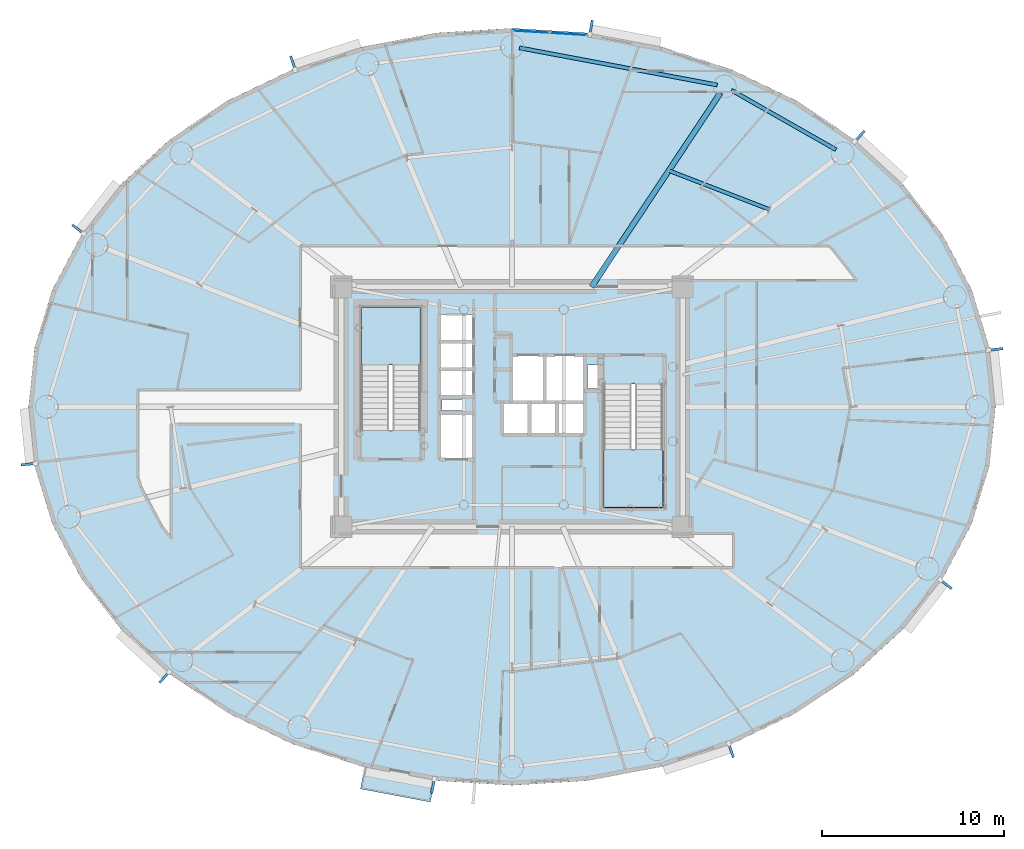
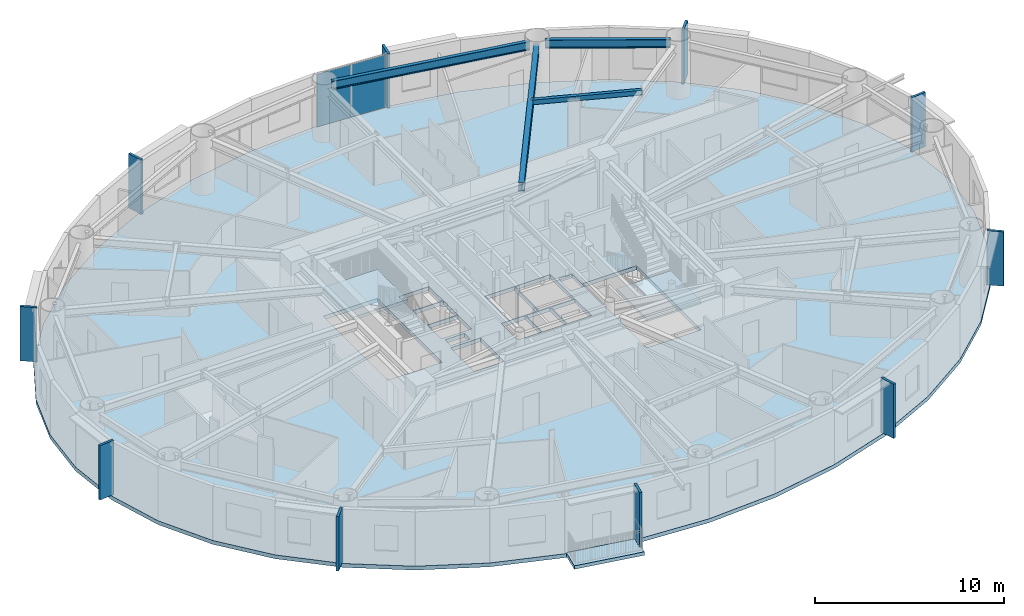
# One storey, part 5 of 19: 12 plates, 4 beams, 4 slabs, 3 elements without a shape of their own.
"""IFC4 building model written with IfcOpenShell, lengths in metres."""

from ifc_helpers import new_model, si_unit, direction, frame, origin, origin_2d, place, context, subcontext, project, spatial, polyline, rectangle, hollow_rectangle, i_section, outline, extrude, source, transform, mapped, material, layer, layer_set, material_profile, profile_set, type_object, element, aggregate, save


model = new_model("IFC4")

# Units and contexts
model_context = context("Model", 3, precision=1e-05, world=origin(), true_north=direction((0.0, 1.0)))
body_context = subcontext(model_context, "Body", "Model", "MODEL_VIEW")
ifc_project = project(units=[si_unit("LENGTHUNIT", "METRE"), si_unit("AREAUNIT", "SQUARE_METRE"), si_unit("VOLUMEUNIT", "CUBIC_METRE"), si_unit("PLANEANGLEUNIT", "RADIAN"), si_unit("MASSUNIT", "GRAM", prefix="KILO")], contexts=[model_context])

# Site, building, storey
site_placement = place(None, origin())
site = spatial("IfcSite", under=ifc_project, at=site_placement, CompositionType="ELEMENT")
building_placement = place(site_placement, origin())
building = spatial("IfcBuilding", under=site, at=building_placement, Name="Linh Dai School and Residence Tower", CompositionType="ELEMENT")
storey_placement = place(building_placement, frame((0.0, 0.0, 174.89990234375)))
storey = spatial("IfcBuildingStorey", under=building, at=storey_placement, Name="L42", CompositionType="ELEMENT", Elevation=174.89990234375)

# Beams
ifc_material_1 = material(Name="Structural Steel S355JR", Category="steel")
ifc_material_profile_1 = material_profile(ifc_material_1, hollow_rectangle(XDim=0.199951171875, YDim=0.300048828125, WallThickness=0.010009765625, at=origin_2d()), Name="RHS 300x200x10")
ifc_profile_set_1 = profile_set([ifc_material_profile_1], Name="Structural Steel S355JR")
beam_type_1 = type_object("IfcBeamType", Name="BM-BX3", PredefinedType="BEAM", material=ifc_profile_set_1)
beam_1_placement = place(storey_placement, frame((50.1640625, 37.860107421875, 3.35009765625), z_axis=(-0.932827710026, 0.360322721193, 0.0), x_axis=(-0.360322721193, -0.932827710026, 0.0)))
element("IfcBeam", 1, at=beam_1_placement, inside=storey, type_object=beam_type_1, Name="L42 Secondary Circumferential Floor Beam 02", PredefinedType="BEAM", context=body_context, shape_type="SweptSolid", body=[
    extrude(hollow_rectangle(XDim=0.199951171875, YDim=0.300048828125, WallThickness=0.010009765625, at=origin_2d()), origin(), (0.0, 0.0, 1.0), 5.927978515625),
])
ifc_material_profile_2 = material_profile(ifc_material_1, i_section(OverallWidth=0.2099609375, OverallDepth=0.550048828125, WebThickness=0.010986328125, FlangeThickness=0.01708984375, FilletRadius=0.02392578125, at=origin_2d()), Name="IPE 550")
ifc_profile_set_2 = profile_set([ifc_material_profile_2], Name="Structural Steel S355JR")
beam_type_2 = type_object("IfcBeamType", Name="BM-RB55", PredefinedType="BEAM", material=ifc_profile_set_2)
beam_2_placement = place(storey_placement, frame((53.827392578125, 41.1494140625, 3.22509765625), z_axis=(-0.869262164011, 0.49435138335, 0.0), x_axis=(-0.49435138335, -0.869262164011, 0.0)))
element("IfcBeam", 2, at=beam_2_placement, inside=storey, type_object=beam_type_2, Name="L42 Perimeter Elliptical Ring Beam 03", PredefinedType="BEAM", context=body_context, shape_type="SweptSolid", body=[
    extrude(i_section(OverallWidth=0.2099609375, OverallDepth=0.550048828125, WebThickness=0.010986328125, FlangeThickness=0.01708984375, FilletRadius=0.02392578125, at=origin_2d()), origin(), (0.0, 0.0, 1.0), 6.62255859375),
])
beam_3_placement = place(storey_placement, frame((47.292724609375, 44.70849609375, 3.22509765625), z_axis=(-0.98280721278, 0.184634727255, 0.0), x_axis=(-0.184634727255, -0.98280721278, 0.0)))
element("IfcBeam", 3, at=beam_3_placement, inside=storey, type_object=beam_type_2, Name="L42 Perimeter Elliptical Ring Beam 04", PredefinedType="BEAM", context=body_context, shape_type="SweptSolid", body=[
    extrude(i_section(OverallWidth=0.2099609375, OverallDepth=0.550048828125, WebThickness=0.010986328125, FlangeThickness=0.01708984375, FilletRadius=0.02392578125, at=origin_2d()), origin(), (0.0, 0.0, 1.0), 11.0703125),
])
ifc_material_profile_3 = material_profile(ifc_material_1, i_section(OverallWidth=0.300048828125, OverallDepth=0.550048828125, WebThickness=0.014892578125, FlangeThickness=0.029052734375, FilletRadius=0.027099609375, at=origin_2d()), Name="HEB 550")
ifc_profile_set_3 = profile_set([ifc_material_profile_3], Name="Structural Steel S355JR")
beam_type_3 = type_object("IfcBeamType", Name="BM-RG55", PredefinedType="BEAM", material=ifc_profile_set_3)
beam_4_placement = place(storey_placement, frame((40.3818359375, 33.60009765625, 3.22509765625), z_axis=(0.553117176317, 0.833103468522, 0.0), x_axis=(-0.833103468522, 0.553117176317, 0.0)))
element("IfcBeam", 4, at=beam_4_placement, inside=storey, type_object=beam_type_3, Name="L42 Primary Radial Floor Girder 04", PredefinedType="BEAM", context=body_context, shape_type="SweptSolid", body=[
    extrude(i_section(OverallWidth=0.300048828125, OverallDepth=0.550048828125, WebThickness=0.014892578125, FlangeThickness=0.029052734375, FilletRadius=0.027099609375, at=origin_2d()), origin(), (0.0, 0.0, 1.0), 12.820556640625),
])

# Slabs
ifc_material_2 = material(Name="Concrete B45 (C35/45)", Category="concrete")
ifc_layer_1 = layer(ifc_material_2, 0.219970703125)
ifc_layer_set_1 = layer_set([ifc_layer_1], Name="Concrete B45 (C35/45)")
slab_type_1 = type_object("IfcSlabType", Name="SLB-BALC-220", PredefinedType="FLOOR", material=ifc_layer_set_1)
slab_1_placement = place(storey_placement, frame((0.0, 0.0, -0.219970703125)))
element("IfcSlab", 5, at=slab_1_placement, inside=storey, type_object=slab_type_1, Name="L42 Sliding Balcony Slab 29", PredefinedType="FLOOR", context=body_context, shape_type="SweptSolid", body=[
    extrude(outline(polyline([(31.74755859375, 6.524658203125), (27.90087890625, 7.248046875), (27.66064453125, 5.97021484375), (31.507568359375, 5.2470703125), (31.74755859375, 6.524658203125)])), origin(), (0.0, 0.0, 1.0), 0.219970703125),
])
ifc_layer_2 = layer(ifc_material_2, 0.25)
ifc_layer_set_2 = layer_set([ifc_layer_2], Name="Concrete B45 (C35/45)")
slab_type_2 = type_object("IfcSlabType", Name="SLB-FLR250", PredefinedType="FLOOR", material=ifc_layer_set_2)
slab_2_placement = place(storey_placement, frame((0.0, 0.0, -0.25)))
element("IfcSlab", 6, at=slab_2_placement, inside=storey, type_object=slab_type_2, Name="L42 Composite Structural Floor Slab", PredefinedType="FLOOR", context=body_context, shape_type="SweptSolid", body=[
    extrude(outline(polyline([(62.60009765625, 27.0), (62.2724609375, 30.258544921875), (61.298095703125, 33.436767578125), (59.70068359375, 36.45654296875), (57.519775390625, 39.24365234375), (54.80908203125, 41.72900390625), (51.635009765625, 43.851806640625), (48.076171875, 45.5595703125), (44.219970703125, 46.810546875), (40.1611328125, 47.573486328125), (36.0, 47.830078125), (31.8388671875, 47.573486328125), (27.780029296875, 46.810546875), (23.923828125, 45.5595703125), (20.364990234375, 43.851806640625), (17.19091796875, 41.72900390625), (14.480224609375, 39.24365234375), (12.29931640625, 36.45654296875), (10.701904296875, 33.436767578125), (9.7275390625, 30.258544921875), (9.39990234375, 27.0), (9.7275390625, 23.741455078125), (10.701904296875, 20.563232421875), (12.29931640625, 17.54345703125), (14.480224609375, 14.75634765625), (17.19091796875, 12.27099609375), (20.364990234375, 10.148193359375), (23.923828125, 8.4404296875), (27.780029296875, 7.189453125), (31.8388671875, 6.426513671875), (36.0, 6.169921875), (40.1611328125, 6.426513671875), (44.219970703125, 7.189453125), (48.076171875, 8.4404296875), (51.635009765625, 10.148193359375), (54.80908203125, 12.27099609375), (57.519775390625, 14.75634765625), (59.70068359375, 17.54345703125), (61.298095703125, 20.563232421875), (62.2724609375, 23.741455078125), (62.60009765625, 27.0)]), holes=[polyline([(30.97998046875, 25.699951171875), (30.97998046875, 32.5), (27.679931640625, 32.5), (27.679931640625, 25.699951171875), (30.97998046875, 25.699951171875)]), polyline([(41.02001953125, 28.25), (41.02001953125, 21.449951171875), (44.320068359375, 21.449951171875), (44.320068359375, 28.25), (41.02001953125, 28.25)]), polyline([(35.97998046875, 27.280029296875), (37.77001953125, 27.280029296875), (37.77001953125, 29.820068359375), (35.97998046875, 29.820068359375), (35.97998046875, 27.280029296875)]), polyline([(32.030029296875, 24.1298828125), (33.8701171875, 24.1298828125), (33.8701171875, 26.6201171875), (32.030029296875, 26.6201171875), (32.030029296875, 24.1298828125)]), polyline([(37.830078125, 27.280029296875), (39.969970703125, 27.280029296875), (39.969970703125, 29.820068359375), (37.830078125, 29.820068359375), (37.830078125, 27.280029296875)]), polyline([(32.030029296875, 27.580078125), (33.8701171875, 27.580078125), (33.8701171875, 29.030029296875), (32.030029296875, 29.030029296875), (32.030029296875, 27.580078125)]), polyline([(32.030029296875, 29.090087890625), (33.8701171875, 29.090087890625), (33.8701171875, 30.550048828125), (32.030029296875, 30.550048828125), (32.030029296875, 29.090087890625)]), polyline([(32.030029296875, 30.610107421875), (33.8701171875, 30.610107421875), (33.8701171875, 32.070068359375), (32.030029296875, 32.070068359375), (32.030029296875, 30.610107421875)]), polyline([(35.47998046875, 25.47998046875), (36.929931640625, 25.47998046875), (36.929931640625, 27.219970703125), (35.47998046875, 27.219970703125), (35.47998046875, 25.47998046875)]), polyline([(36.989990234375, 25.47998046875), (38.449951171875, 25.47998046875), (38.449951171875, 27.219970703125), (36.989990234375, 27.219970703125), (36.989990234375, 25.47998046875)]), polyline([(38.510009765625, 25.47998046875), (39.969970703125, 25.47998046875), (39.969970703125, 27.219970703125), (38.510009765625, 27.219970703125), (38.510009765625, 25.47998046875)]), polyline([(40.14990234375, 28.0), (40.14990234375, 29.300048828125), (41.0, 29.300048828125), (41.0, 28.280029296875), (40.989990234375, 28.280029296875), (40.989990234375, 28.0), (40.14990234375, 28.0)]), polyline([(32.14990234375, 26.800048828125), (33.35009765625, 26.800048828125), (33.35009765625, 27.39990234375), (32.14990234375, 27.39990234375), (32.14990234375, 26.800048828125)])]), origin(), (0.0, 0.0, 1.0), 0.25),
])

# Stair, slab
stair_type = type_object("IfcStairType", Name="ST-DOG-1550-R1442", PredefinedType="HALF_TURN_STAIR", material=ifc_material_2)
stair_1_placement = place(storey_placement, origin())
stair_1 = element("IfcStair", 7, at=stair_1_placement, inside=storey, type_object=stair_type, Name="L42 Core Smokeproof Exit Stair ST1", PredefinedType="HALF_TURN_STAIR")
ifc_layer_3 = layer(ifc_material_2, 0.199951171875)
ifc_layer_set_3 = layer_set([ifc_layer_3], Name="Concrete B45 (C35/45)")
slab_type_3 = type_object("IfcSlabType", Name="SLB-ST-LANDING-200", PredefinedType="LANDING", material=ifc_layer_set_3)
slab_3_placement = place(storey_placement, frame((0.0, 0.0, 1.675048828125)))
slab_3 = element("IfcSlab", 8, at=slab_3_placement, type_object=slab_type_3, Name="ST1 landing 1", PredefinedType="LANDING", context=body_context, shape_type="SweptSolid", body=[
    extrude(outline(polyline([(30.97998046875, 29.300048828125), (30.97998046875, 32.5), (27.679931640625, 32.5), (27.679931640625, 29.300048828125), (30.97998046875, 29.300048828125)])), origin(), (0.0, 0.0, 1.0), 0.199951171875),
])
aggregate(stair_1, [slab_3])

stair_2_placement = place(storey_placement, origin())
stair_2 = element("IfcStair", 9, at=stair_2_placement, inside=storey, type_object=stair_type, Name="L42 Core Smokeproof Exit Stair ST2", PredefinedType="HALF_TURN_STAIR")
slab_4_placement = place(storey_placement, frame((0.0, 0.0, 1.675048828125)))
slab_4 = element("IfcSlab", 10, at=slab_4_placement, type_object=slab_type_3, Name="ST2 landing 1", PredefinedType="LANDING", context=body_context, shape_type="SweptSolid", body=[
    extrude(outline(polyline([(41.02001953125, 24.64990234375), (41.02001953125, 21.449951171875), (44.320068359375, 21.449951171875), (44.320068359375, 24.64990234375), (41.02001953125, 24.64990234375)])), origin(), (0.0, 0.0, 1.0), 0.199951171875),
])
aggregate(stair_2, [slab_4])

# Plates
ifc_material_3 = material(Name="Precast Concrete B45 (C35/45)", Category="concrete")
ifc_layer_4 = layer(ifc_material_3, 0.139892578125)
ifc_layer_set_4 = layer_set([ifc_layer_4], Name="Precast Concrete B45 (C35/45)")
plate_type_1 = type_object("IfcPlateType", Name="FIN-TC-900x140", PredefinedType="USERDEFINED", material=ifc_layer_set_4)
shared_shape_1 = source(origin(), body_context, "Body", "SweptSolid", [
    extrude(rectangle(XDim=0.89990234375, YDim=0.139892578125, at=origin_2d()), origin(), (0.0, 0.0, 1.0), 3.5),
])
for number, where, z_axis, x_axis, name in (
    (11, (62.56982421875, 30.1552734375, 0.0), (0.0, 0.0, 1.0), (0.994987256586, 0.100001796141, 0.0), "L42 Precast Terracotta Radial Fin 01"),
    (12, (55.097412109375, 41.851806640625, 0.0), (0.0, 0.0, 1.0), (0.67580001435, 0.737085029426, 0.0), "L42 Precast Terracotta Radial Fin 05"),
    (13, (40.33935546875, 47.830322265625, 0.0), (0.0, 0.0, 1.0), (0.184762540184, 0.982783192645, 0.0), "L42 Precast Terracotta Radial Fin 09"),
    (14, (23.957763671875, 45.87060546875, 0.0), (0.0, 0.0, 1.0), (-0.308535707031, 0.951212761419, 0.0), "L42 Precast Terracotta Radial Fin 13"),
    (15, (12.155029296875, 36.735595703125, 0.0), (0.0, 0.0, 1.0), (-0.787522158319, 0.616286337798, 0.0), "L42 Precast Terracotta Radial Fin 17"),
    (16, (9.43017578125, 23.8447265625, 0.0), (0.0, 0.0, 1.0), (-0.994987256586, -0.100001796141, 0.0), "L42 Precast Terracotta Radial Fin 21"),
    (17, (16.902587890625, 12.148193359375, 0.0), (0.0, 0.0, 1.0), (-0.67580001435, -0.737085029426, 0.0), "L42 Precast Terracotta Radial Fin 25"),
    (18, (31.66064453125, 6.169677734375, 0.0), (0.0, 0.0, 1.0), (-0.184762540184, -0.982783192645, 0.0), "L42 Precast Terracotta Radial Fin 29"),
    (19, (48.042236328125, 8.12939453125, 0.0), (0.0, 0.0, 1.0), (0.308535707031, -0.951212761419, 0.0), "L42 Precast Terracotta Radial Fin 33"),
    (20, (59.844970703125, 17.264404296875, 0.0), (0.0, 0.0, 1.0), (0.787522158319, -0.616286337798, 0.0), "L42 Precast Terracotta Radial Fin 37"),
):
    element("IfcPlate", number, at=place(storey_placement, frame(where, z_axis=z_axis, x_axis=x_axis)), inside=storey, type_object=plate_type_1, Name=name, ObjectType="RADIAL FIN", PredefinedType="USERDEFINED", context=body_context, shape_type="MappedRepresentation", body=[
        mapped(shared_shape_1, transform((0.0, 0.0, 0.0), x_axis=(1.0, 0.0, 0.0), y_axis=(0.0, 1.0, 0.0), z_axis=(0.0, 0.0, 1.0), scale=1.0)),
    ])

# Curtain wall, plates
ifc_material_4 = material(Name="Aluminium Anodised Curtain Wall", Category="aluminium")
ifc_layer_5 = layer(ifc_material_4, 0.14990234375)
ifc_layer_set_5 = layer_set([ifc_layer_5], Name="Aluminium Anodised Curtain Wall")
curtain_wall_type = type_object("IfcCurtainWallType", Name="CW-SYS-4", PredefinedType="USERDEFINED", material=ifc_layer_set_5)
curtain_wall_placement = place(storey_placement, origin())
curtain_wall = element("IfcCurtainWall", 21, at=curtain_wall_placement, inside=storey, type_object=curtain_wall_type, Name="L42 CW4 Curtain Wall 10", ObjectType="RIBBON CURTAIN WALL", PredefinedType="USERDEFINED")
ifc_material_5 = material(Name="Double Low-E Insulated Glazing", Category="glass")
ifc_layer_6 = layer(ifc_material_5, 0.02587890625)
ifc_layer_set_6 = layer_set([ifc_layer_6], Name="Double Low-E Insulated Glazing")
plate_type_2 = type_object("IfcPlateType", Name="CW-SYS-4-PAN", PredefinedType="CURTAIN_PANEL", material=ifc_layer_set_6)
shared_shape_2 = source(origin(), body_context, "Body", "SweptSolid", [
    extrude(rectangle(XDim=1.998779296875, YDim=0.02587890625, at=origin_2d()), origin(), (0.0, 0.0, 1.0), 3.39599609375),
])
plate_1_placement = place(storey_placement, frame((37.04931640625, 47.640380859375, 0.052001953125), z_axis=(0.0, 0.0, 1.0), x_axis=(0.99810632076, -0.061512376467, 0.0)))
plate_1 = element("IfcPlate", 22, at=plate_1_placement, type_object=plate_type_2, Name="CW4 panel 1.1", PredefinedType="CURTAIN_PANEL", context=body_context, shape_type="MappedRepresentation", body=[
    mapped(shared_shape_2, transform((0.0, 0.0, 0.0), x_axis=(1.0, 0.0, 0.0), y_axis=(0.0, 1.0, 0.0), z_axis=(0.0, 0.0, 1.0), scale=1.0)),
])
plate_2_placement = place(storey_placement, frame((39.096435546875, 47.51416015625, 0.052001953125), z_axis=(0.0, 0.0, 1.0), x_axis=(0.99810632076, -0.061512376467, 0.0)))
plate_2 = element("IfcPlate", 23, at=plate_2_placement, type_object=plate_type_2, Name="CW4 panel 2.1", PredefinedType="CURTAIN_PANEL", context=body_context, shape_type="MappedRepresentation", body=[
    mapped(shared_shape_2, transform((0.0, 0.0, 0.0), x_axis=(1.0, 0.0, 0.0), y_axis=(0.0, 1.0, 0.0), z_axis=(0.0, 0.0, 1.0), scale=1.0)),
])
aggregate(curtain_wall, [plate_1, plate_2])

save(model, "model.ifc")
